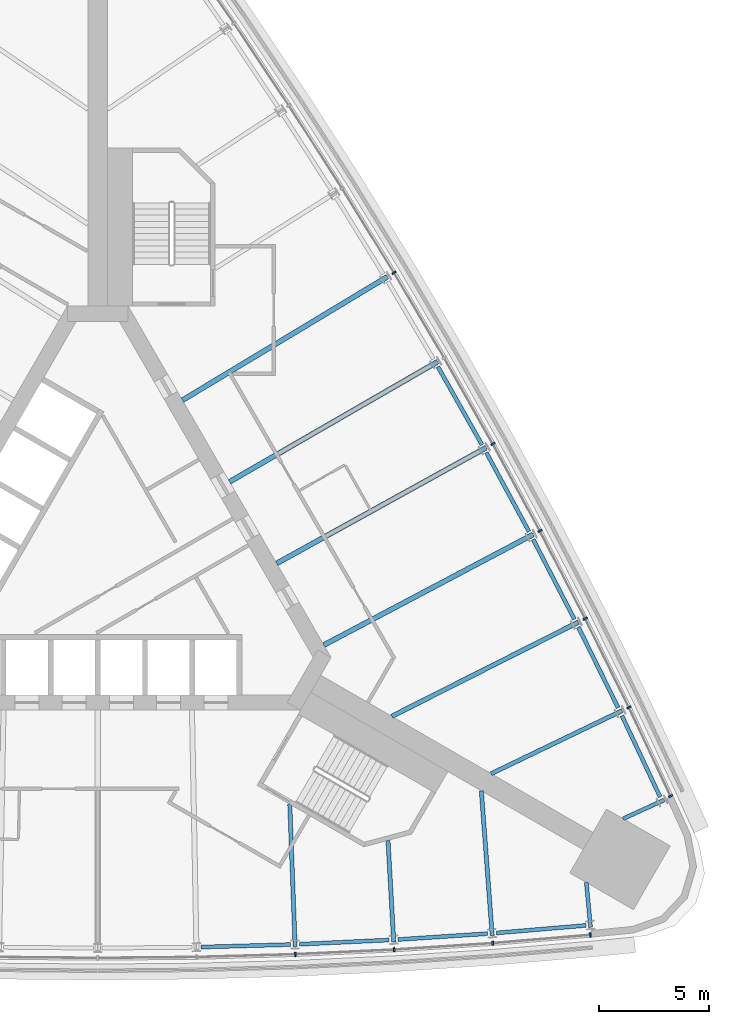
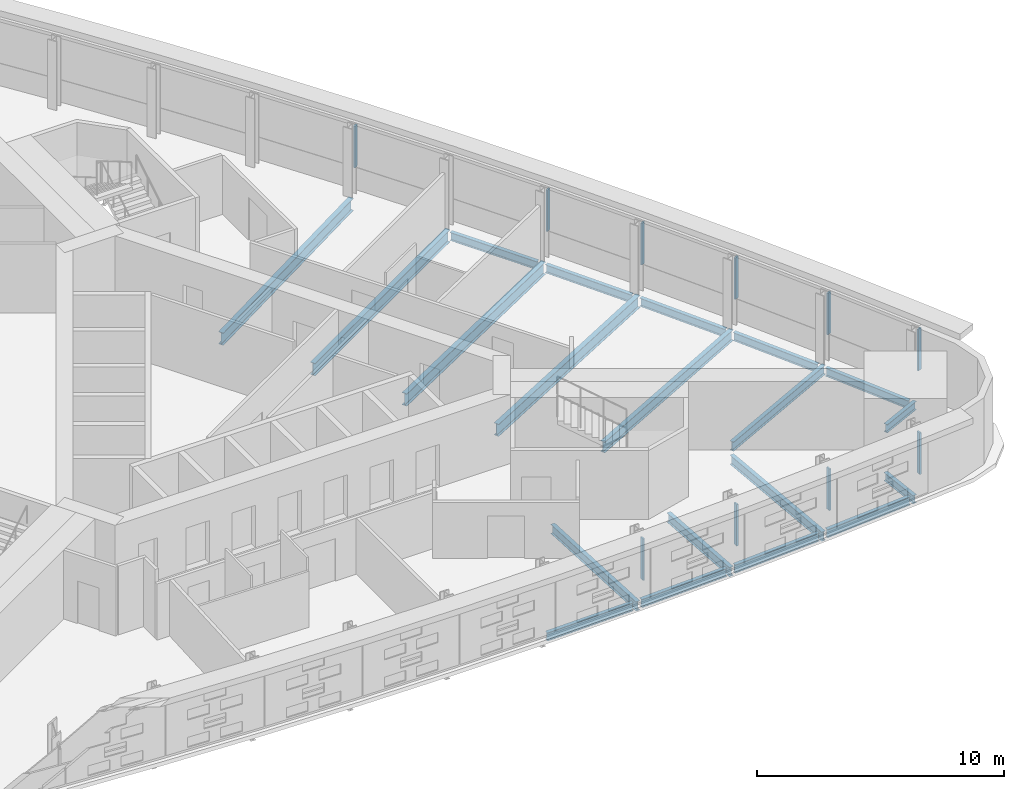
# One storey, part 6 of 14: 20 beams, 10 members, 2 elements without a shape of their own.
"""IFC4 building model written with IfcOpenShell, lengths in metres."""

from ifc_helpers import new_model, si_unit, direction, frame, origin, origin_2d, place, context, subcontext, project, spatial, rectangle, i_section, extrude, material, material_profile, profile_set, type_object, element, aggregate, save


model = new_model("IFC4")

# Units and contexts
model_context = context("Model", 3, precision=1e-05, world=origin(), true_north=direction((0.0, 1.0)))
body_context = subcontext(model_context, "Body", "Model", "MODEL_VIEW")
ifc_project = project(units=[si_unit("LENGTHUNIT", "METRE"), si_unit("AREAUNIT", "SQUARE_METRE"), si_unit("VOLUMEUNIT", "CUBIC_METRE"), si_unit("PLANEANGLEUNIT", "RADIAN"), si_unit("MASSUNIT", "GRAM", prefix="KILO")], contexts=[model_context])

# Site, building, storey
site_placement = place(None, origin())
site = spatial("IfcSite", under=ifc_project, at=site_placement, CompositionType="ELEMENT")
building_placement = place(site_placement, origin())
building = spatial("IfcBuilding", under=site, at=building_placement, Name="Noor Cloister Tower", CompositionType="ELEMENT")
storey_placement = place(building_placement, frame((0.0, 0.0, 34.800048828125)))
storey = spatial("IfcBuildingStorey", under=building, at=storey_placement, Name="L08", CompositionType="ELEMENT", Elevation=34.800048828125)

# Curtain wall, members
ifc_material_1 = material(Name="Aluminium 6063-T6 anodised", Category="aluminium")
curtain_wall_type = type_object("IfcCurtainWallType", Name="Ribbon curtain wall, lower tower CW1", PredefinedType="NOTDEFINED", material=ifc_material_1)
curtain_wall_1_placement = place(storey_placement, origin())
curtain_wall_1 = element("IfcCurtainWall", 1, at=curtain_wall_1_placement, inside=storey, type_object=curtain_wall_type, Name="CW1 L08 S run 2", PredefinedType="NOTDEFINED")
ifc_material_2 = material(Name="Aluminium 6063-T6 anodised", Category="aluminium")
ifc_material_profile_1 = material_profile(ifc_material_2, rectangle(XDim=0.199951171875, YDim=0.080078125, at=origin_2d()), Name="200 x 80 mullion")
ifc_profile_set_1 = profile_set([ifc_material_profile_1], Name="Aluminium 6063-T6 anodised")
member_type = type_object("IfcMemberType", Name="Mullion CW1 80 x 200", PredefinedType="MULLION", material=ifc_profile_set_1)
member_1_placement = place(storey_placement, frame((8.994140625, -18.038330078125, 1.099853515625), z_axis=(0.0, 0.0, 1.0), x_axis=(-0.037446096272, 0.99929864899, 0.0)))
member_1 = element("IfcMember", 2, at=member_1_placement, type_object=member_type, Name="CW1 mullion 8", PredefinedType="MULLION", context=body_context, shape_type="SweptSolid", body=[
    extrude(rectangle(XDim=0.199951171875, YDim=0.080078125, at=origin_2d()), origin(), (0.0, 0.0, 1.0), 2.050048828125),
])
member_2_placement = place(storey_placement, frame((13.4873046875, -17.827880859375, 1.099853515625), z_axis=(0.0, 0.0, 1.0), x_axis=(-0.056152719394, 0.998422191312, 0.0)))
member_2 = element("IfcMember", 3, at=member_2_placement, type_object=member_type, Name="CW1 mullion 9", PredefinedType="MULLION", context=body_context, shape_type="SweptSolid", body=[
    extrude(rectangle(XDim=0.199951171875, YDim=0.080078125, at=origin_2d()), origin(), (0.0, 0.0, 1.0), 2.050048828125),
])
member_3_placement = place(storey_placement, frame((17.9755859375, -17.533203125, 1.099853515625), z_axis=(0.0, 0.0, 1.0), x_axis=(-0.074839666829, 0.997195579748, 0.0)))
member_3 = element("IfcMember", 4, at=member_3_placement, type_object=member_type, Name="CW1 mullion 10", PredefinedType="MULLION", context=body_context, shape_type="SweptSolid", body=[
    extrude(rectangle(XDim=0.199951171875, YDim=0.080078125, at=origin_2d()), origin(), (0.0, 0.0, 1.0), 2.050048828125),
])
member_4_placement = place(storey_placement, frame((22.4189453125, -17.157958984375, 1.099853515625), z_axis=(0.0, 0.0, 1.0), x_axis=(-0.084173698584, 0.996451096877, 0.0)))
member_4 = element("IfcMember", 5, at=member_4_placement, type_object=member_type, Name="CW1 mullion 11", PredefinedType="MULLION", context=body_context, shape_type="SweptSolid", body=[
    extrude(rectangle(XDim=0.199951171875, YDim=0.080078125, at=origin_2d()), origin(), (0.0, 0.0, 1.0), 2.050048828125),
])
aggregate(curtain_wall_1, [member_1, member_2, member_3, member_4])

curtain_wall_2_placement = place(storey_placement, origin())
curtain_wall_2 = element("IfcCurtainWall", 6, at=curtain_wall_2_placement, inside=storey, type_object=curtain_wall_type, Name="CW1 L08 NE run 3", PredefinedType="NOTDEFINED")
member_5_placement = place(storey_placement, frame((26.068603515625, -10.83642578125, 1.099853515625), z_axis=(0.0, 0.0, 1.0), x_axis=(-0.905038812816, -0.425328987134, 0.0)))
member_5 = element("IfcMember", 7, at=member_5_placement, type_object=member_type, Name="CW1 mullion 1", PredefinedType="MULLION", context=body_context, shape_type="SweptSolid", body=[
    extrude(rectangle(XDim=0.199951171875, YDim=0.080078125, at=origin_2d()), origin(), (0.0, 0.0, 1.0), 2.050048828125),
])
member_6_placement = place(storey_placement, frame((24.172119140625, -6.80078125, 1.099853515625), z_axis=(0.0, 0.0, 1.0), x_axis=(-0.901016538018, -0.43378473719, 0.0)))
member_6 = element("IfcMember", 8, at=member_6_placement, type_object=member_type, Name="CW1 mullion 2", PredefinedType="MULLION", context=body_context, shape_type="SweptSolid", body=[
    extrude(rectangle(XDim=0.199951171875, YDim=0.080078125, at=origin_2d()), origin(), (0.0, 0.0, 1.0), 2.050048828125),
])
member_7_placement = place(storey_placement, frame((22.18310546875, -2.766357421875, 1.099853515625), z_axis=(0.0, 0.0, 1.0), x_axis=(-0.892735341075, -0.450581414169, 0.0)))
member_7 = element("IfcMember", 9, at=member_7_placement, type_object=member_type, Name="CW1 mullion 3", PredefinedType="MULLION", context=body_context, shape_type="SweptSolid", body=[
    extrude(rectangle(XDim=0.199951171875, YDim=0.080078125, at=origin_2d()), origin(), (0.0, 0.0, 1.0), 2.050048828125),
])
member_8_placement = place(storey_placement, frame((20.11865234375, 1.22998046875, 1.099853515625), z_axis=(0.0, 0.0, 1.0), x_axis=(-0.884141064129, -0.467220053851, 0.0)))
member_8 = element("IfcMember", 10, at=member_8_placement, type_object=member_type, Name="CW1 mullion 4", PredefinedType="MULLION", context=body_context, shape_type="SweptSolid", body=[
    extrude(rectangle(XDim=0.199951171875, YDim=0.080078125, at=origin_2d()), origin(), (0.0, 0.0, 1.0), 2.050048828125),
])
member_9_placement = place(storey_placement, frame((17.97998046875, 5.18701171875, 1.099853515625), z_axis=(0.0, 0.0, 1.0), x_axis=(-0.875236705229, -0.483694851967, 0.0)))
member_9 = element("IfcMember", 11, at=member_9_placement, type_object=member_type, Name="CW1 mullion 5", PredefinedType="MULLION", context=body_context, shape_type="SweptSolid", body=[
    extrude(rectangle(XDim=0.199951171875, YDim=0.080078125, at=origin_2d()), origin(), (0.0, 0.0, 1.0), 2.050048828125),
])
member_10_placement = place(storey_placement, frame((13.482177734375, 12.9775390625, 1.099853515625), z_axis=(0.0, 0.0, 1.0), x_axis=(-0.856510382098, -0.51612979507, 0.0)))
member_10 = element("IfcMember", 12, at=member_10_placement, type_object=member_type, Name="CW1 mullion 7", PredefinedType="MULLION", context=body_context, shape_type="SweptSolid", body=[
    extrude(rectangle(XDim=0.199951171875, YDim=0.080078125, at=origin_2d()), origin(), (0.0, 0.0, 1.0), 2.050048828125),
])
aggregate(curtain_wall_2, [member_5, member_6, member_7, member_8, member_9, member_10])

# Beams
ifc_material_3 = material(Name="Steel ASTM A992 Gr 50", Category="steel")
ifc_material_profile_2 = material_profile(ifc_material_3, i_section(OverallWidth=0.177978515625, OverallDepth=0.406005859375, WebThickness=0.0078125, FlangeThickness=0.0126953125, FilletRadius=0.01025390625, at=origin_2d()), Name="W410x60")
ifc_profile_set_2 = profile_set([ifc_material_profile_2], Name="Steel ASTM A992 Gr 50")
beam_type_1 = type_object("IfcBeamType", Name="Radial beam W410x60", PredefinedType="BEAM", material=ifc_profile_set_2)
for number, where, z_axis, x_axis, name in (
    (13, (22.4248046875, -16.80322265625, -0.403076171875), (-0.093533376396, 0.995616144656, 0.0), (-0.995616144656, -0.093533376396, 0.0), "Radial beam S 11 L08"),
    (14, (25.764404296875, -11.018798828125, -0.403076171875), (-0.908989304817, -0.416819437801, 0.0), (0.416819437801, -0.908989304817, 0.0), "Radial beam NE 01 L08"),
):
    element("IfcBeam", number, at=place(storey_placement, frame(where, z_axis=z_axis, x_axis=x_axis)), inside=storey, type_object=beam_type_1, Name=name, PredefinedType="BEAM", context=body_context, shape_type="SweptSolid", body=[
        extrude(i_section(OverallWidth=0.177978515625, OverallDepth=0.406005859375, WebThickness=0.0078125, FlangeThickness=0.0126953125, FilletRadius=0.01025390625, at=origin_2d()), origin(), (0.0, 0.0, 1.0), 2.041259765625),
    ])
ifc_material_4 = material(Name="Steel ASTM A992 Gr 50", Category="steel")
ifc_material_profile_3 = material_profile(ifc_material_4, i_section(OverallWidth=0.19091796875, OverallDepth=0.45703125, WebThickness=0.009033203125, FlangeThickness=0.014404296875, FilletRadius=0.01025390625, at=origin_2d()), Name="W460x74")
ifc_profile_set_3 = profile_set([ifc_material_profile_3], Name="Steel ASTM A992 Gr 50")
beam_type_2 = type_object("IfcBeamType", Name="Radial beam W460x74", PredefinedType="BEAM", material=ifc_profile_set_3)
beam_1_placement = place(storey_placement, frame((8.98095703125, -17.685546875, -0.428466796875), z_axis=(-0.037464260675, 0.999297968162, 0.0), x_axis=(-0.999297968162, -0.037464260675, 0.0)))
element("IfcBeam", 15, at=beam_1_placement, inside=storey, type_object=beam_type_2, Name="Radial beam S 08 L08", PredefinedType="BEAM", context=body_context, shape_type="SweptSolid", body=[
    extrude(i_section(OverallWidth=0.19091796875, OverallDepth=0.45703125, WebThickness=0.009033203125, FlangeThickness=0.014404296875, FilletRadius=0.01025390625, at=origin_2d()), origin(), (0.0, 0.0, 1.0), 6.484130859375),
])
beam_2_placement = place(storey_placement, frame((13.467529296875, -17.475341796875, -0.428466796875), z_axis=(-0.05616516418, 0.998421491321, 0.0), x_axis=(-0.998421491321, -0.05616516418, 0.0)))
element("IfcBeam", 16, at=beam_2_placement, inside=storey, type_object=beam_type_2, Name="Radial beam S 09 L08", PredefinedType="BEAM", context=body_context, shape_type="SweptSolid", body=[
    extrude(i_section(OverallWidth=0.19091796875, OverallDepth=0.45703125, WebThickness=0.009033203125, FlangeThickness=0.014404296875, FilletRadius=0.01025390625, at=origin_2d()), origin(), (0.0, 0.0, 1.0), 4.62939453125),
])
beam_3_placement = place(storey_placement, frame((17.94921875, -17.18115234375, -0.428466796875), z_axis=(-0.074844186113, 0.997195240565, 0.0), x_axis=(-0.997195240565, -0.074844186113, 0.0)))
element("IfcBeam", 17, at=beam_3_placement, inside=storey, type_object=beam_type_2, Name="Radial beam S 10 L08", PredefinedType="BEAM", context=body_context, shape_type="SweptSolid", body=[
    extrude(i_section(OverallWidth=0.19091796875, OverallDepth=0.45703125, WebThickness=0.009033203125, FlangeThickness=0.014404296875, FilletRadius=0.01025390625, at=origin_2d()), origin(), (0.0, 0.0, 1.0), 6.602294921875),
])
beam_4_placement = place(storey_placement, frame((23.85400390625, -6.953857421875, -0.428466796875), z_axis=(-0.901019869253, -0.433777817795, 0.0), x_axis=(0.433777817795, -0.901019869253, 0.0)))
element("IfcBeam", 18, at=beam_4_placement, inside=storey, type_object=beam_type_2, Name="Radial beam NE 02 L08", PredefinedType="BEAM", context=body_context, shape_type="SweptSolid", body=[
    extrude(i_section(OverallWidth=0.19091796875, OverallDepth=0.45703125, WebThickness=0.009033203125, FlangeThickness=0.014404296875, FilletRadius=0.01025390625, at=origin_2d()), origin(), (0.0, 0.0, 1.0), 6.6025390625),
])
ifc_material_5 = material(Name="Steel ASTM A992 Gr 50", Category="steel")
ifc_material_profile_4 = material_profile(ifc_material_5, i_section(OverallWidth=0.208984375, OverallDepth=0.532958984375, WebThickness=0.01025390625, FlangeThickness=0.015625, FilletRadius=0.0126953125, at=origin_2d()), Name="W530x92")
ifc_profile_set_4 = profile_set([ifc_material_profile_4], Name="Steel ASTM A992 Gr 50")
beam_type_3 = type_object("IfcBeamType", Name="Radial beam W530x92", PredefinedType="BEAM", material=ifc_profile_set_4)
beam_5_placement = place(storey_placement, frame((21.867919921875, -2.925537109375, -0.466552734375), z_axis=(-0.89274077649, -0.450570644841, 0.0), x_axis=(0.450570644841, -0.89274077649, 0.0)))
element("IfcBeam", 19, at=beam_5_placement, inside=storey, type_object=beam_type_3, Name="Radial beam NE 03 L08", PredefinedType="BEAM", context=body_context, shape_type="SweptSolid", body=[
    extrude(i_section(OverallWidth=0.208984375, OverallDepth=0.532958984375, WebThickness=0.01025390625, FlangeThickness=0.015625, FilletRadius=0.0126953125, at=origin_2d()), origin(), (0.0, 0.0, 1.0), 9.50341796875),
])
ifc_material_6 = material(Name="Steel ASTM A992 Gr 50", Category="steel")
ifc_material_profile_5 = material_profile(ifc_material_6, i_section(OverallWidth=0.22802734375, OverallDepth=0.60205078125, WebThickness=0.010498046875, FlangeThickness=0.014892578125, FilletRadius=0.0126953125, at=origin_2d()), Name="W610x101")
ifc_profile_set_5 = profile_set([ifc_material_profile_5], Name="Steel ASTM A992 Gr 50")
beam_type_4 = type_object("IfcBeamType", Name="Radial beam W610x101", PredefinedType="BEAM", material=ifc_profile_set_5)
beam_6_placement = place(storey_placement, frame((19.806640625, 1.065185546875, -0.5009765625), z_axis=(-0.884135761782, -0.467230087578, 0.0), x_axis=(0.467230087578, -0.884135761782, 0.0)))
element("IfcBeam", 20, at=beam_6_placement, inside=storey, type_object=beam_type_4, Name="Radial beam NE 04 L08", PredefinedType="BEAM", context=body_context, shape_type="SweptSolid", body=[
    extrude(i_section(OverallWidth=0.22802734375, OverallDepth=0.60205078125, WebThickness=0.010498046875, FlangeThickness=0.014892578125, FilletRadius=0.0126953125, at=origin_2d()), origin(), (0.0, 0.0, 1.0), 10.76513671875),
])
ifc_material_7 = material(Name="Steel ASTM A992 Gr 50", Category="steel")
ifc_material_profile_6 = material_profile(ifc_material_7, i_section(OverallWidth=0.22900390625, OverallDepth=0.612060546875, WebThickness=0.011962890625, FlangeThickness=0.01953125, FilletRadius=0.0126953125, at=origin_2d()), Name="W610x125")
ifc_profile_set_6 = profile_set([ifc_material_profile_6], Name="Steel ASTM A992 Gr 50")
beam_type_5 = type_object("IfcBeamType", Name="Radial beam W610x125", PredefinedType="BEAM", material=ifc_profile_set_6)
beam_7_placement = place(storey_placement, frame((17.671142578125, 5.016357421875, -0.506103515625), z_axis=(-0.875231041062, -0.48370510103, 0.0), x_axis=(0.48370510103, -0.875231041062, 0.0)))
element("IfcBeam", 21, at=beam_7_placement, inside=storey, type_object=beam_type_5, Name="Radial beam NE 05 L08", PredefinedType="BEAM", context=body_context, shape_type="SweptSolid", body=[
    extrude(i_section(OverallWidth=0.22900390625, OverallDepth=0.612060546875, WebThickness=0.011962890625, FlangeThickness=0.01953125, FilletRadius=0.0126953125, at=origin_2d()), origin(), (0.0, 0.0, 1.0), 10.885498046875),
])
beam_8_placement = place(storey_placement, frame((15.4619140625, 8.927001953125, -0.506103515625), z_axis=(-0.866023343127, -0.500003569146, 0.0), x_axis=(0.500003569146, -0.866023343127, 0.0)))
element("IfcBeam", 22, at=beam_8_placement, inside=storey, type_object=beam_type_5, Name="Radial beam NE 06 L08", PredefinedType="BEAM", context=body_context, shape_type="SweptSolid", body=[
    extrude(i_section(OverallWidth=0.22900390625, OverallDepth=0.612060546875, WebThickness=0.011962890625, FlangeThickness=0.01953125, FilletRadius=0.0126953125, at=origin_2d()), origin(), (0.0, 0.0, 1.0), 10.92578125),
])
beam_9_placement = place(storey_placement, frame((13.1796875, 12.79541015625, -0.506103515625), z_axis=(-0.856505836488, -0.516137338372, 0.0), x_axis=(0.516137338372, -0.856505836488, 0.0)))
element("IfcBeam", 23, at=beam_9_placement, inside=storey, type_object=beam_type_5, Name="Radial beam NE 07 L08", PredefinedType="BEAM", context=body_context, shape_type="SweptSolid", body=[
    extrude(i_section(OverallWidth=0.22900390625, OverallDepth=0.612060546875, WebThickness=0.011962890625, FlangeThickness=0.01953125, FilletRadius=0.0126953125, at=origin_2d()), origin(), (0.0, 0.0, 1.0), 10.885498046875),
])
ifc_material_8 = material(Name="Steel ASTM A992 Gr 50", Category="steel")
ifc_material_profile_7 = material_profile(ifc_material_8, i_section(OverallWidth=0.177978515625, OverallDepth=0.406005859375, WebThickness=0.0078125, FlangeThickness=0.0126953125, FilletRadius=0.01025390625, at=origin_2d()), Name="W410x60")
ifc_profile_set_7 = profile_set([ifc_material_profile_7], Name="Steel ASTM A992 Gr 50")
beam_type_6 = type_object("IfcBeamType", Name="Spandrel beam W410x60", PredefinedType="SPANDREL", material=ifc_profile_set_7)
beam_10_placement = place(storey_placement, frame((4.69140625, -17.708984375, -0.403076171875), z_axis=(0.999605523948, 0.028085521058, 0.0), x_axis=(-0.028085521058, 0.999605523948, 0.0)))
element("IfcBeam", 24, at=beam_10_placement, inside=storey, type_object=beam_type_6, Name="Spandrel beam S 07 L08", PredefinedType="SPANDREL", context=body_context, shape_type="SweptSolid", body=[
    extrude(i_section(OverallWidth=0.177978515625, OverallDepth=0.406005859375, WebThickness=0.0078125, FlangeThickness=0.0126953125, FilletRadius=0.01025390625, at=origin_2d()), origin(), (0.0, 0.0, 1.0), 4.085693359375),
])
beam_11_placement = place(storey_placement, frame((9.17919921875, -17.5791015625, -0.403076171875), z_axis=(0.998904745987, 0.046790046429, 0.0), x_axis=(-0.046790046429, 0.998904745987, 0.0)))
element("IfcBeam", 25, at=beam_11_placement, inside=storey, type_object=beam_type_6, Name="Spandrel beam S 08 L08", PredefinedType="SPANDREL", context=body_context, shape_type="SweptSolid", body=[
    extrude(i_section(OverallWidth=0.177978515625, OverallDepth=0.406005859375, WebThickness=0.0078125, FlangeThickness=0.0126953125, FilletRadius=0.01025390625, at=origin_2d()), origin(), (0.0, 0.0, 1.0), 4.08544921875),
])
beam_12_placement = place(storey_placement, frame((13.66357421875, -17.365234375, -0.403076171875), z_axis=(0.997853109694, 0.065491766467, 0.0), x_axis=(-0.065491766467, 0.997853109694, 0.0)))
element("IfcBeam", 26, at=beam_12_placement, inside=storey, type_object=beam_type_6, Name="Spandrel beam S 09 L08", PredefinedType="SPANDREL", context=body_context, shape_type="SweptSolid", body=[
    extrude(i_section(OverallWidth=0.177978515625, OverallDepth=0.406005859375, WebThickness=0.0078125, FlangeThickness=0.0126953125, FilletRadius=0.01025390625, at=origin_2d()), origin(), (0.0, 0.0, 1.0), 4.085693359375),
])
beam_13_placement = place(storey_placement, frame((18.143310546875, -17.0673828125, -0.403076171875), z_axis=(0.996454080445, 0.08413837153, 0.0), x_axis=(-0.08413837153, 0.996454080445, 0.0)))
element("IfcBeam", 27, at=beam_13_placement, inside=storey, type_object=beam_type_6, Name="Spandrel beam S 10 L08", PredefinedType="SPANDREL", context=body_context, shape_type="SweptSolid", body=[
    extrude(i_section(OverallWidth=0.177978515625, OverallDepth=0.406005859375, WebThickness=0.0078125, FlangeThickness=0.0126953125, FilletRadius=0.01025390625, at=origin_2d()), origin(), (0.0, 0.0, 1.0), 4.08544921875),
])
beam_14_placement = place(storey_placement, frame((25.59033203125, -10.87646484375, -0.403076171875), z_axis=(-0.425330795052, 0.905037963171, 0.0), x_axis=(-0.905037963171, -0.425330795052, 0.0)))
element("IfcBeam", 28, at=beam_14_placement, inside=storey, type_object=beam_type_6, Name="Spandrel beam NE 01 L08", PredefinedType="SPANDREL", context=body_context, shape_type="SweptSolid", body=[
    extrude(i_section(OverallWidth=0.177978515625, OverallDepth=0.406005859375, WebThickness=0.0078125, FlangeThickness=0.0126953125, FilletRadius=0.01025390625, at=origin_2d()), origin(), (0.0, 0.0, 1.0), 4.085693359375),
])
beam_15_placement = place(storey_placement, frame((23.67724609375, -6.814697265625, -0.403076171875), z_axis=(-0.442210832263, 0.896911132626, 0.0), x_axis=(-0.896911132626, -0.442210832263, 0.0)))
element("IfcBeam", 29, at=beam_15_placement, inside=storey, type_object=beam_type_6, Name="Spandrel beam NE 02 L08", PredefinedType="SPANDREL", context=body_context, shape_type="SweptSolid", body=[
    extrude(i_section(OverallWidth=0.177978515625, OverallDepth=0.406005859375, WebThickness=0.0078125, FlangeThickness=0.0126953125, FilletRadius=0.01025390625, at=origin_2d()), origin(), (0.0, 0.0, 1.0), 4.08544921875),
])
for number, where, z_axis, x_axis, name in (
    (30, (21.6884765625, -2.789794921875, -0.403076171875), (-0.458910785429, 0.888482352676, 0.0), (-0.888482352676, -0.458910785429, 0.0), "Spandrel beam NE 03 L08"),
    (31, (19.624755859375, 1.197509765625, -0.403076171875), (-0.475478288793, 0.879727456027, 0.0), (-0.879727456027, -0.475478288793, 0.0), "Spandrel beam NE 04 L08"),
    (32, (17.48681640625, 5.145263671875, -0.403076171875), (-0.491840652179, 0.870685231794, 0.0), (-0.870685231794, -0.491840652179, 0.0), "Spandrel beam NE 05 L08"),
):
    element("IfcBeam", number, at=place(storey_placement, frame(where, z_axis=z_axis, x_axis=x_axis)), inside=storey, type_object=beam_type_6, Name=name, PredefinedType="SPANDREL", context=body_context, shape_type="SweptSolid", body=[
        extrude(i_section(OverallWidth=0.177978515625, OverallDepth=0.406005859375, WebThickness=0.0078125, FlangeThickness=0.0126953125, FilletRadius=0.01025390625, at=origin_2d()), origin(), (0.0, 0.0, 1.0), 4.085693359375),
    ])

save(model, "model.ifc")
